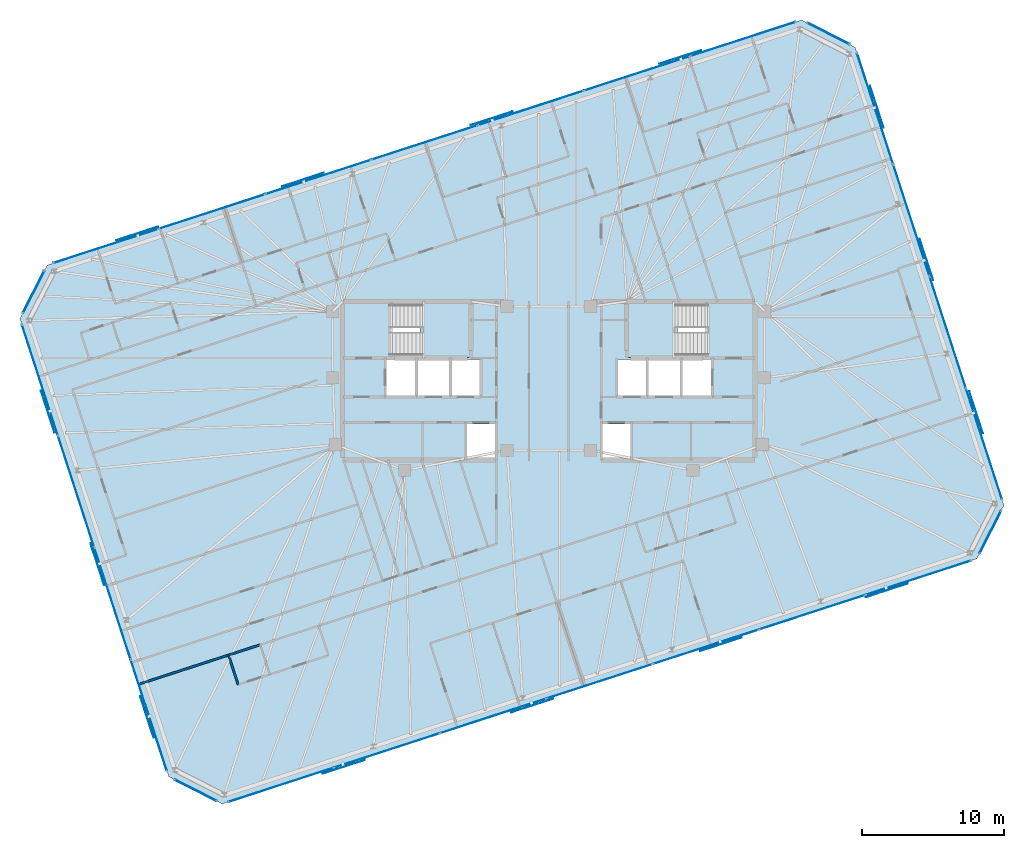
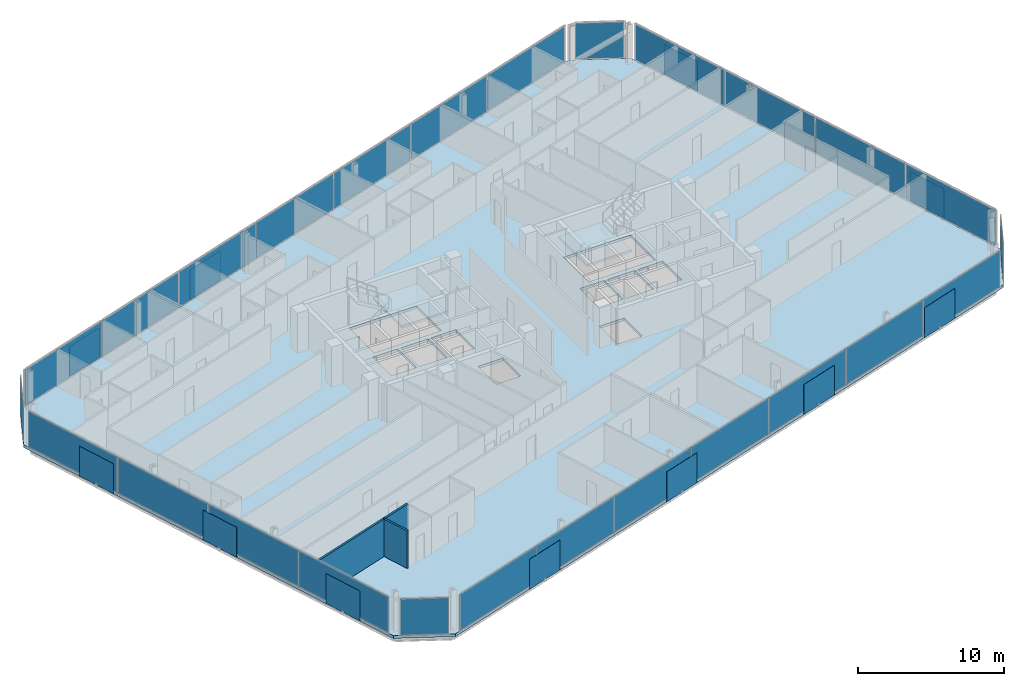
# One storey, part 12 of 20: 40 plates, 3 slabs, 3 walls, 10 elements without a shape of their own.
"""IFC4 building model written with IfcOpenShell, lengths in metres."""

from ifc_helpers import new_model, si_unit, direction, frame, frame_2d, origin, origin_2d, place, context, subcontext, project, spatial, polyline, rectangle, outline, extrude, material, layer, layer_set, type_object, element, aggregate, save


model = new_model("IFC4")

# Units and contexts
model_context = context("Model", 3, precision=1e-05, world=origin(), true_north=direction((0.0, 1.0)))
body_context = subcontext(model_context, "Body", "Model", "MODEL_VIEW")
ifc_project = project(units=[si_unit("LENGTHUNIT", "METRE"), si_unit("AREAUNIT", "SQUARE_METRE"), si_unit("VOLUMEUNIT", "CUBIC_METRE"), si_unit("PLANEANGLEUNIT", "RADIAN"), si_unit("MASSUNIT", "GRAM", prefix="KILO")], contexts=[model_context])

# Site, building, storey
site_placement = place(None, origin())
site = spatial("IfcSite", under=ifc_project, at=site_placement, CompositionType="ELEMENT")
building_placement = place(site_placement, origin())
building = spatial("IfcBuilding", under=site, at=building_placement, Name="Menara Jurai Vektor", CompositionType="ELEMENT")
storey_placement = place(building_placement, frame((0.0, 0.0, 244.39990234375)))
storey = spatial("IfcBuildingStorey", under=building, at=storey_placement, Name="L65", CompositionType="ELEMENT", Elevation=244.39990234375)

# Curtain wall, plates
ifc_material_1 = material(Name="Anodised Pale Aluminium & Low-E Double Glazing", Category="aluminium")
curtain_wall_type = type_object("IfcCurtainWallType", Name="CW-BLK4", PredefinedType="NOTDEFINED", material=ifc_material_1)
curtain_wall_1_placement = place(storey_placement, origin())
curtain_wall_1 = element("IfcCurtainWall", 1, at=curtain_wall_1_placement, inside=storey, type_object=curtain_wall_type, Name="Unitised Curtain Wall L65 F01", PredefinedType="NOTDEFINED")
ifc_material_2 = material(Name="Low-E Solar-Control Double Glazed Unit", Category="glass")
ifc_layer_1 = layer(ifc_material_2, 0.030029296875)
ifc_layer_set_1 = layer_set([ifc_layer_1], Name="Low-E Solar-Control Double Glazed Unit")
plate_type_1 = type_object("IfcPlateType", Name="CW-BLK4-PNL", PredefinedType="CURTAIN_PANEL", material=ifc_layer_set_1)
plate_1_placement = place(storey_placement, frame((-18.916259765625, -28.53076171875, 0.080078125), z_axis=(0.0, 0.0, 1.0), x_axis=(0.951056402641, 0.309017344167, 0.0)))
plate_1 = element("IfcPlate", 2, at=plate_1_placement, type_object=plate_type_1, Name="CW-04 panel 1.1", PredefinedType="CURTAIN_PANEL", context=body_context, shape_type="SweptSolid", body=[
    extrude(rectangle(XDim=7.771484375, YDim=0.030029296875, at=origin_2d()), origin(), (0.0, 0.0, 1.0), 2.965087890625),
])
plate_2_placement = place(storey_placement, frame((-11.429931640625, -26.098388671875, 0.080078125), z_axis=(0.0, 0.0, 1.0), x_axis=(0.951056402641, 0.309017344167, 0.0)))
plate_2 = element("IfcPlate", 3, at=plate_2_placement, type_object=plate_type_1, Name="CW-04 panel 2.1", PredefinedType="CURTAIN_PANEL", context=body_context, shape_type="SweptSolid", body=[
    extrude(rectangle(XDim=7.8115234375, YDim=0.030029296875, at=origin_2d()), origin(), (0.0, 0.0, 1.0), 2.965087890625),
])
plate_3_placement = place(storey_placement, frame((-3.9248046875, -23.65966796875, 0.080078125), z_axis=(0.0, 0.0, 1.0), x_axis=(0.951056402641, 0.309017344167, 0.0)))
plate_3 = element("IfcPlate", 4, at=plate_3_placement, type_object=plate_type_1, Name="CW-04 panel 3.1", PredefinedType="CURTAIN_PANEL", context=body_context, shape_type="SweptSolid", body=[
    extrude(rectangle(XDim=7.8115234375, YDim=0.030029296875, at=origin_2d()), origin(), (0.0, 0.0, 1.0), 2.965087890625),
])
plate_4_placement = place(storey_placement, frame((3.580322265625, -21.22119140625, 0.080078125), z_axis=(0.0, 0.0, 1.0), x_axis=(0.951056402641, 0.309017344167, 0.0)))
plate_4 = element("IfcPlate", 5, at=plate_4_placement, type_object=plate_type_1, Name="CW-04 panel 4.1", PredefinedType="CURTAIN_PANEL", context=body_context, shape_type="SweptSolid", body=[
    extrude(rectangle(XDim=7.8115234375, YDim=0.030029296875, at=origin_2d()), origin(), (0.0, 0.0, 1.0), 2.965087890625),
])
plate_5_placement = place(storey_placement, frame((11.08544921875, -18.782470703125, 0.080078125), z_axis=(0.0, 0.0, 1.0), x_axis=(0.951056402641, 0.309017344167, 0.0)))
plate_5 = element("IfcPlate", 6, at=plate_5_placement, type_object=plate_type_1, Name="CW-04 panel 5.1", PredefinedType="CURTAIN_PANEL", context=body_context, shape_type="SweptSolid", body=[
    extrude(rectangle(XDim=7.8115234375, YDim=0.030029296875, at=origin_2d()), origin(), (0.0, 0.0, 1.0), 2.965087890625),
])
plate_6_placement = place(storey_placement, frame((18.5908203125, -16.343994140625, 0.080078125), z_axis=(0.0, 0.0, 1.0), x_axis=(0.951056402641, 0.309017344167, 0.0)))
plate_6 = element("IfcPlate", 7, at=plate_6_placement, type_object=plate_type_1, Name="CW-04 panel 6.1", PredefinedType="CURTAIN_PANEL", context=body_context, shape_type="SweptSolid", body=[
    extrude(rectangle(XDim=7.8115234375, YDim=0.030029296875, at=origin_2d()), origin(), (0.0, 0.0, 1.0), 2.965087890625),
])
plate_7_placement = place(storey_placement, frame((26.076904296875, -13.91162109375, 0.080078125), z_axis=(0.0, 0.0, 1.0), x_axis=(0.951056402641, 0.309017344167, 0.0)))
plate_7 = element("IfcPlate", 8, at=plate_7_placement, type_object=plate_type_1, Name="CW-04 panel 7.1", PredefinedType="CURTAIN_PANEL", context=body_context, shape_type="SweptSolid", body=[
    extrude(rectangle(XDim=7.771484375, YDim=0.030029296875, at=origin_2d()), origin(), (0.0, 0.0, 1.0), 2.965087890625),
])
aggregate(curtain_wall_1, [plate_1, plate_2, plate_3, plate_4, plate_5, plate_6, plate_7])

curtain_wall_2_placement = place(storey_placement, origin())
curtain_wall_2 = element("IfcCurtainWall", 9, at=curtain_wall_2_placement, inside=storey, type_object=curtain_wall_type, Name="Unitised Curtain Wall L65 F03", PredefinedType="NOTDEFINED")
plate_8_placement = place(storey_placement, frame((30.728515625, -4.456298828125, 0.080078125), z_axis=(0.0, 0.0, 1.0), x_axis=(-0.309016481464, 0.95105668295, 0.0)))
plate_8 = element("IfcPlate", 10, at=plate_8_placement, type_object=plate_type_1, Name="CW-04 panel 1.1", PredefinedType="CURTAIN_PANEL", context=body_context, shape_type="SweptSolid", body=[
    extrude(rectangle(XDim=8.18994140625, YDim=0.030029296875, at=origin_2d()), origin(), (0.0, 0.0, 1.0), 2.965087890625),
])
plate_9_placement = place(storey_placement, frame((28.166748046875, 3.427978515625, 0.080078125), z_axis=(0.0, 0.0, 1.0), x_axis=(-0.309016481464, 0.95105668295, 0.0)))
plate_9 = element("IfcPlate", 11, at=plate_9_placement, type_object=plate_type_1, Name="CW-04 panel 2.1", PredefinedType="CURTAIN_PANEL", context=body_context, shape_type="SweptSolid", body=[
    extrude(rectangle(XDim=8.22998046875, YDim=0.030029296875, at=origin_2d()), origin(), (0.0, 0.0, 1.0), 2.965087890625),
])
plate_10_placement = place(storey_placement, frame((25.598876953125, 11.331298828125, 0.080078125), z_axis=(0.0, 0.0, 1.0), x_axis=(-0.309016481464, 0.95105668295, 0.0)))
plate_10 = element("IfcPlate", 12, at=plate_10_placement, type_object=plate_type_1, Name="CW-04 panel 3.1", PredefinedType="CURTAIN_PANEL", context=body_context, shape_type="SweptSolid", body=[
    extrude(rectangle(XDim=8.22998046875, YDim=0.030029296875, at=origin_2d()), origin(), (0.0, 0.0, 1.0), 2.965087890625),
])
plate_11_placement = place(storey_placement, frame((23.037109375, 19.21533203125, 0.080078125), z_axis=(0.0, 0.0, 1.0), x_axis=(-0.309016481464, 0.95105668295, 0.0)))
plate_11 = element("IfcPlate", 13, at=plate_11_placement, type_object=plate_type_1, Name="CW-04 panel 4.1", PredefinedType="CURTAIN_PANEL", context=body_context, shape_type="SweptSolid", body=[
    extrude(rectangle(XDim=8.18994140625, YDim=0.030029296875, at=origin_2d()), origin(), (0.0, 0.0, 1.0), 2.965087890625),
])
aggregate(curtain_wall_2, [plate_8, plate_9, plate_10, plate_11])

curtain_wall_3_placement = place(storey_placement, origin())
curtain_wall_3 = element("IfcCurtainWall", 14, at=curtain_wall_3_placement, inside=storey, type_object=curtain_wall_type, Name="Unitised Curtain Wall L65 F05", PredefinedType="NOTDEFINED")
plate_12_placement = place(storey_placement, frame((13.716064453125, 24.130615234375, 0.080078125), z_axis=(0.0, 0.0, 1.0), x_axis=(-0.951056402641, -0.309017344167, 0.0)))
plate_12 = element("IfcPlate", 15, at=plate_12_placement, type_object=plate_type_1, Name="CW-04 panel 1.1", PredefinedType="CURTAIN_PANEL", context=body_context, shape_type="SweptSolid", body=[
    extrude(rectangle(XDim=7.771484375, YDim=0.030029296875, at=origin_2d()), origin(), (0.0, 0.0, 1.0), 2.965087890625),
])
plate_13_placement = place(storey_placement, frame((6.22998046875, 21.6982421875, 0.080078125), z_axis=(0.0, 0.0, 1.0), x_axis=(-0.951056402641, -0.309017344167, 0.0)))
plate_13 = element("IfcPlate", 16, at=plate_13_placement, type_object=plate_type_1, Name="CW-04 panel 2.1", PredefinedType="CURTAIN_PANEL", context=body_context, shape_type="SweptSolid", body=[
    extrude(rectangle(XDim=7.8115234375, YDim=0.030029296875, at=origin_2d()), origin(), (0.0, 0.0, 1.0), 2.965087890625),
])
plate_14_placement = place(storey_placement, frame((-1.275146484375, 19.259765625, 0.080078125), z_axis=(0.0, 0.0, 1.0), x_axis=(-0.951056402641, -0.309017344167, 0.0)))
plate_14 = element("IfcPlate", 17, at=plate_14_placement, type_object=plate_type_1, Name="CW-04 panel 3.1", PredefinedType="CURTAIN_PANEL", context=body_context, shape_type="SweptSolid", body=[
    extrude(rectangle(XDim=7.8115234375, YDim=0.030029296875, at=origin_2d()), origin(), (0.0, 0.0, 1.0), 2.965087890625),
])
plate_15_placement = place(storey_placement, frame((-8.7802734375, 16.821044921875, 0.080078125), z_axis=(0.0, 0.0, 1.0), x_axis=(-0.951056402641, -0.309017344167, 0.0)))
plate_15 = element("IfcPlate", 18, at=plate_15_placement, type_object=plate_type_1, Name="CW-04 panel 4.1", PredefinedType="CURTAIN_PANEL", context=body_context, shape_type="SweptSolid", body=[
    extrude(rectangle(XDim=7.8115234375, YDim=0.030029296875, at=origin_2d()), origin(), (0.0, 0.0, 1.0), 2.965087890625),
])
plate_16_placement = place(storey_placement, frame((-16.28564453125, 14.382568359375, 0.080078125), z_axis=(0.0, 0.0, 1.0), x_axis=(-0.951056402641, -0.309017344167, 0.0)))
plate_16 = element("IfcPlate", 19, at=plate_16_placement, type_object=plate_type_1, Name="CW-04 panel 5.1", PredefinedType="CURTAIN_PANEL", context=body_context, shape_type="SweptSolid", body=[
    extrude(rectangle(XDim=7.8115234375, YDim=0.030029296875, at=origin_2d()), origin(), (0.0, 0.0, 1.0), 2.965087890625),
])
plate_17_placement = place(storey_placement, frame((-23.790771484375, 11.944091796875, 0.080078125), z_axis=(0.0, 0.0, 1.0), x_axis=(-0.951056402641, -0.309017344167, 0.0)))
plate_17 = element("IfcPlate", 20, at=plate_17_placement, type_object=plate_type_1, Name="CW-04 panel 6.1", PredefinedType="CURTAIN_PANEL", context=body_context, shape_type="SweptSolid", body=[
    extrude(rectangle(XDim=7.8115234375, YDim=0.030029296875, at=origin_2d()), origin(), (0.0, 0.0, 1.0), 2.965087890625),
])
plate_18_placement = place(storey_placement, frame((-31.27685546875, 9.511474609375, 0.080078125), z_axis=(0.0, 0.0, 1.0), x_axis=(-0.951056402641, -0.309017344167, 0.0)))
plate_18 = element("IfcPlate", 21, at=plate_18_placement, type_object=plate_type_1, Name="CW-04 panel 7.1", PredefinedType="CURTAIN_PANEL", context=body_context, shape_type="SweptSolid", body=[
    extrude(rectangle(XDim=7.771484375, YDim=0.030029296875, at=origin_2d()), origin(), (0.0, 0.0, 1.0), 2.965087890625),
])
aggregate(curtain_wall_3, [plate_12, plate_13, plate_14, plate_15, plate_16, plate_17, plate_18])

curtain_wall_4_placement = place(storey_placement, origin())
curtain_wall_4 = element("IfcCurtainWall", 22, at=curtain_wall_4_placement, inside=storey, type_object=curtain_wall_type, Name="Unitised Curtain Wall L65 F07", PredefinedType="NOTDEFINED")
plate_19_placement = place(storey_placement, frame((-35.928466796875, 0.056396484375, 0.080078125), z_axis=(0.0, 0.0, 1.0), x_axis=(0.309016481464, -0.95105668295, 0.0)))
plate_19 = element("IfcPlate", 23, at=plate_19_placement, type_object=plate_type_1, Name="CW-04 panel 1.1", PredefinedType="CURTAIN_PANEL", context=body_context, shape_type="SweptSolid", body=[
    extrude(rectangle(XDim=8.18994140625, YDim=0.030029296875, at=origin_2d()), origin(), (0.0, 0.0, 1.0), 2.965087890625),
])
plate_20_placement = place(storey_placement, frame((-33.36669921875, -7.827880859375, 0.080078125), z_axis=(0.0, 0.0, 1.0), x_axis=(0.309016481464, -0.95105668295, 0.0)))
plate_20 = element("IfcPlate", 24, at=plate_20_placement, type_object=plate_type_1, Name="CW-04 panel 2.1", PredefinedType="CURTAIN_PANEL", context=body_context, shape_type="SweptSolid", body=[
    extrude(rectangle(XDim=8.22998046875, YDim=0.030029296875, at=origin_2d()), origin(), (0.0, 0.0, 1.0), 2.965087890625),
])
plate_21_placement = place(storey_placement, frame((-30.798828125, -15.731201171875, 0.080078125), z_axis=(0.0, 0.0, 1.0), x_axis=(0.309016481464, -0.95105668295, 0.0)))
plate_21 = element("IfcPlate", 25, at=plate_21_placement, type_object=plate_type_1, Name="CW-04 panel 3.1", PredefinedType="CURTAIN_PANEL", context=body_context, shape_type="SweptSolid", body=[
    extrude(rectangle(XDim=8.22998046875, YDim=0.030029296875, at=origin_2d()), origin(), (0.0, 0.0, 1.0), 2.965087890625),
])
plate_22_placement = place(storey_placement, frame((-28.237060546875, -23.615478515625, 0.080078125), z_axis=(0.0, 0.0, 1.0), x_axis=(0.309016481464, -0.95105668295, 0.0)))
plate_22 = element("IfcPlate", 26, at=plate_22_placement, type_object=plate_type_1, Name="CW-04 panel 4.1", PredefinedType="CURTAIN_PANEL", context=body_context, shape_type="SweptSolid", body=[
    extrude(rectangle(XDim=8.18994140625, YDim=0.030029296875, at=origin_2d()), origin(), (0.0, 0.0, 1.0), 2.965087890625),
])
aggregate(curtain_wall_4, [plate_19, plate_20, plate_21, plate_22])

# Curtain wall, plate
curtain_wall_5_placement = place(storey_placement, origin())
curtain_wall_5 = element("IfcCurtainWall", 27, at=curtain_wall_5_placement, inside=storey, type_object=curtain_wall_type, Name="Unitised Curtain Wall L65 F02", PredefinedType="NOTDEFINED")
ifc_material_3 = material(Name="Insulated Pale Aluminium Spandrel Panel", Category="aluminium")
ifc_layer_2 = layer(ifc_material_3, 0.06005859375)
ifc_layer_set_2 = layer_set([ifc_layer_2], Name="Insulated Pale Aluminium Spandrel Panel")
plate_type_2 = type_object("IfcPlateType", Name="CW-PNL-SP", PredefinedType="CURTAIN_PANEL", material=ifc_layer_set_2)
plate_23_placement = place(storey_placement, frame((31.1728515625, -10.678466796875, 0.080078125), z_axis=(0.0, 0.0, 1.0), x_axis=(0.453988579828, 0.89100750243, 0.0)))
plate_23 = element("IfcPlate", 28, at=plate_23_placement, type_object=plate_type_2, Name="CW-04 panel 1.1", PredefinedType="CURTAIN_PANEL", context=body_context, shape_type="SweptSolid", body=[
    extrude(rectangle(XDim=3.32275390625, YDim=0.06005859375, at=origin_2d()), origin(), (0.0, 0.0, 1.0), 2.965087890625),
])
aggregate(curtain_wall_5, [plate_23])

curtain_wall_6_placement = place(storey_placement, origin())
curtain_wall_6 = element("IfcCurtainWall", 29, at=curtain_wall_6_placement, inside=storey, type_object=curtain_wall_type, Name="Unitised Curtain Wall L65 F04", PredefinedType="NOTDEFINED")
plate_24_placement = place(storey_placement, frame((19.7392578125, 24.510498046875, 0.080078125), z_axis=(0.0, 0.0, 1.0), x_axis=(-0.89100750243, 0.453988579828, 0.0)))
plate_24 = element("IfcPlate", 30, at=plate_24_placement, type_object=plate_type_2, Name="CW-04 panel 1.1", PredefinedType="CURTAIN_PANEL", context=body_context, shape_type="SweptSolid", body=[
    extrude(rectangle(XDim=3.32275390625, YDim=0.06005859375, at=origin_2d()), origin(), (0.0, 0.0, 1.0), 2.965087890625),
])
aggregate(curtain_wall_6, [plate_24])

curtain_wall_7_placement = place(storey_placement, origin())
curtain_wall_7 = element("IfcCurtainWall", 31, at=curtain_wall_7_placement, inside=storey, type_object=curtain_wall_type, Name="Unitised Curtain Wall L65 F06", PredefinedType="NOTDEFINED")
plate_25_placement = place(storey_placement, frame((-36.373046875, 6.278564453125, 0.080078125), z_axis=(0.0, 0.0, 1.0), x_axis=(-0.453988579828, -0.89100750243, 0.0)))
plate_25 = element("IfcPlate", 32, at=plate_25_placement, type_object=plate_type_2, Name="CW-04 panel 1.1", PredefinedType="CURTAIN_PANEL", context=body_context, shape_type="SweptSolid", body=[
    extrude(rectangle(XDim=3.32275390625, YDim=0.06005859375, at=origin_2d()), origin(), (0.0, 0.0, 1.0), 2.965087890625),
])
aggregate(curtain_wall_7, [plate_25])

curtain_wall_8_placement = place(storey_placement, origin())
curtain_wall_8 = element("IfcCurtainWall", 33, at=curtain_wall_8_placement, inside=storey, type_object=curtain_wall_type, Name="Unitised Curtain Wall L65 F08", PredefinedType="NOTDEFINED")
plate_26_placement = place(storey_placement, frame((-24.939453125, -28.91064453125, 0.080078125), z_axis=(0.0, 0.0, 1.0), x_axis=(0.89100750243, -0.453988579828, 0.0)))
plate_26 = element("IfcPlate", 34, at=plate_26_placement, type_object=plate_type_2, Name="CW-04 panel 1.1", PredefinedType="CURTAIN_PANEL", context=body_context, shape_type="SweptSolid", body=[
    extrude(rectangle(XDim=3.32275390625, YDim=0.06005859375, at=origin_2d()), origin(), (0.0, 0.0, 1.0), 2.965087890625),
])
aggregate(curtain_wall_8, [plate_26])

# Plates
ifc_material_4 = material(Name="Anodised Pale Aluminium Perforated Screen", Category="aluminium")
ifc_layer_3 = layer(ifc_material_4, 0.02197265625)
ifc_layer_set_3 = layer_set([ifc_layer_3], Name="Anodised Pale Aluminium Perforated Screen")
plate_type_3 = type_object("IfcPlateType", Name="ENV-PLT-SCREEN-HI", PredefinedType="USERDEFINED", material=ifc_layer_set_3)
for number, where, z_axis, x_axis, name in (
    (35, (-14.478271484375, -27.257080078125, -0.0498046875), (0.0, 0.0, 1.0), (0.951056516295, 0.309016994375, 0.0), "Perforated Pale-Metal Solar Screen L65-S01"),
    (36, (-1.16357421875, -22.930908203125, -0.0498046875), (0.0, 0.0, 1.0), (0.951056516295, 0.309016994375, 0.0), "Perforated Pale-Metal Solar Screen L65-S02"),
    (37, (12.151123046875, -18.6044921875, -0.0498046875), (0.0, 0.0, 1.0), (0.951056516295, 0.309016994375, 0.0), "Perforated Pale-Metal Solar Screen L65-S03"),
    (38, (23.868408203125, -14.797607421875, -0.0498046875), (0.0, 0.0, 1.0), (0.951056516295, 0.309016994375, 0.0), "Perforated Pale-Metal Solar Screen L65-S04"),
    (39, (30.16943359375, -2.218017578125, -0.0498046875), (0.0, 0.0, 1.0), (-0.309016994375, 0.951056516295, 0.0), "Perforated Pale-Metal Solar Screen L65-S05"),
    (40, (26.667236328125, 8.560791015625, -0.0498046875), (0.0, 0.0, 1.0), (-0.309016994375, 0.951056516295, 0.0), "Perforated Pale-Metal Solar Screen L65-S06"),
    (41, (23.1650390625, 19.33935546875, -0.0498046875), (0.0, 0.0, 1.0), (-0.309016994375, 0.951056516295, 0.0), "Perforated Pale-Metal Solar Screen L65-S07"),
    (42, (9.2783203125, 22.85693359375, -0.0498046875), (0.0, 0.0, 1.0), (-0.951056516295, -0.309016994375, 0.0), "Perforated Pale-Metal Solar Screen L65-S08"),
    (43, (-4.03662109375, 18.53076171875, -0.0498046875), (0.0, 0.0, 1.0), (-0.951056516295, -0.309016994375, 0.0), "Perforated Pale-Metal Solar Screen L65-S09"),
    (44, (-17.351318359375, 14.20458984375, -0.0498046875), (0.0, 0.0, 1.0), (-0.951056516295, -0.309016994375, 0.0), "Perforated Pale-Metal Solar Screen L65-S10"),
    (45, (-29.068359375, 10.3974609375, -0.0498046875), (0.0, 0.0, 1.0), (-0.951056516295, -0.309016994375, 0.0), "Perforated Pale-Metal Solar Screen L65-S11"),
    (46, (-35.369384765625, -2.18212890625, -0.0498046875), (0.0, 0.0, 1.0), (0.309016994375, -0.951056516295, 0.0), "Perforated Pale-Metal Solar Screen L65-S12"),
    (47, (-31.8671875, -12.960693359375, -0.0498046875), (0.0, 0.0, 1.0), (0.309016994375, -0.951056516295, 0.0), "Perforated Pale-Metal Solar Screen L65-S13"),
    (48, (-28.364990234375, -23.739501953125, -0.0498046875), (0.0, 0.0, 1.0), (0.309016994375, -0.951056516295, 0.0), "Perforated Pale-Metal Solar Screen L65-S14"),
):
    element("IfcPlate", number, at=place(storey_placement, frame(where, z_axis=z_axis, x_axis=x_axis)), inside=storey, type_object=plate_type_3, Name=name, ObjectType="SCREEN", PredefinedType="USERDEFINED", context=body_context, shape_type="SweptSolid", body=[
        extrude(rectangle(XDim=3.10009765625, YDim=0.02197265625, at=origin_2d()), origin(), (0.0, 0.0, 1.0), 2.5),
    ])

# Stair, slab
ifc_material_5 = material(Name="Concrete C40/50", Category="concrete")
stair_type = type_object("IfcStairType", Name="STAIR-DOGLEG-1500", PredefinedType="HALF_TURN_STAIR", material=ifc_material_5)
stair_1_placement = place(storey_placement, origin())
stair_1 = element("IfcStair", 49, at=stair_1_placement, inside=storey, type_object=stair_type, Name="Protected Exit Stair ST1 L65", PredefinedType="HALF_TURN_STAIR")
ifc_layer_4 = layer(ifc_material_5, 0.199951171875)
ifc_layer_set_4 = layer_set([ifc_layer_4], Name="Concrete C40/50")
slab_type_1 = type_object("IfcSlabType", Name="STAIR-LANDING-200", PredefinedType="LANDING", material=ifc_layer_set_4)
slab_1_placement = place(storey_placement, frame((0.0, 0.0, 1.47509765625)))
slab_1 = element("IfcSlab", 50, at=slab_1_placement, type_object=slab_type_1, Name="ST1 landing 1", PredefinedType="LANDING", context=body_context, shape_type="SweptSolid", body=[
    extrude(outline(polyline([(-9.080078125, 1.64990234375), (-5.550048828125, 1.64990234375), (-5.550048828125, 5.550048828125), (-9.080078125, 5.550048828125), (-9.080078125, 1.64990234375)])), origin(), (0.0, 0.0, 1.0), 0.199951171875),
])
aggregate(stair_1, [slab_1])

stair_2_placement = place(storey_placement, origin())
stair_2 = element("IfcStair", 51, at=stair_2_placement, inside=storey, type_object=stair_type, Name="Protected Exit Stair ST2 L65", PredefinedType="HALF_TURN_STAIR")
slab_2_placement = place(storey_placement, frame((0.0, 0.0, 1.47509765625)))
slab_2 = element("IfcSlab", 52, at=slab_2_placement, type_object=slab_type_1, Name="ST2 landing 1", PredefinedType="LANDING", context=body_context, shape_type="SweptSolid", body=[
    extrude(outline(polyline([(5.550048828125, 1.64990234375), (9.080078125, 1.64990234375), (9.080078125, 5.550048828125), (5.550048828125, 5.550048828125), (5.550048828125, 1.64990234375)])), origin(), (0.0, 0.0, 1.0), 0.199951171875),
])
aggregate(stair_2, [slab_2])

# Slab
ifc_layer_5 = layer(ifc_material_5, 0.22509765625)
ifc_layer_set_5 = layer_set([ifc_layer_5], Name="Concrete C40/50")
slab_type_2 = type_object("IfcSlabType", Name="STR-SLAB-TYP200", PredefinedType="FLOOR", material=ifc_layer_set_5)
slab_3_placement = place(storey_placement, frame((0.0, 0.0, -0.224853515625)))
element("IfcSlab", 53, at=slab_3_placement, inside=storey, type_object=slab_type_2, Name="Composite Floor Slab L65", PredefinedType="FLOOR", context=body_context, shape_type="SweptSolid", body=[
    extrude(outline(polyline([(-23.04931640625, -29.87353515625), (30.2099609375, -12.568603515625), (32.135986328125, -8.788330078125), (21.62939453125, 23.547607421875), (17.84912109375, 25.4736328125), (-35.409912109375, 8.168701171875), (-37.3359375, 4.388427734375), (-26.82958984375, -27.947509765625), (-23.04931640625, -29.87353515625)]), holes=[polyline([(-11.10009765625, 1.89990234375), (-11.10009765625, 5.300048828125), (-5.800048828125, 5.300048828125), (-5.800048828125, 1.89990234375), (-11.10009765625, 1.89990234375)]), polyline([(5.800048828125, 1.89990234375), (5.800048828125, 5.300048828125), (11.10009765625, 5.300048828125), (11.10009765625, 1.89990234375), (5.800048828125, 1.89990234375)]), polyline([(-11.449951171875, -1.050048828125), (-11.449951171875, 1.5), (-9.449951171875, 1.5), (-9.449951171875, -1.050048828125), (-11.449951171875, -1.050048828125)]), polyline([(9.449951171875, -1.050048828125), (9.449951171875, 1.5), (11.449951171875, 1.5), (11.449951171875, -1.050048828125), (9.449951171875, -1.050048828125)]), polyline([(-5.760009765625, -5.5), (-5.760009765625, -3.050048828125), (-3.800048828125, -3.050048828125), (-3.800048828125, -5.5), (-5.760009765625, -5.5)]), polyline([(-6.85009765625, -1.050048828125), (-6.85009765625, 1.5), (-4.889892578125, 1.5), (-4.889892578125, -1.050048828125), (-6.85009765625, -1.050048828125)]), polyline([(3.800048828125, -5.5), (3.800048828125, -3.050048828125), (5.760009765625, -3.050048828125), (5.760009765625, -5.5), (3.800048828125, -5.5)]), polyline([(4.889892578125, -1.050048828125), (4.889892578125, 1.5), (6.85009765625, 1.5), (6.85009765625, -1.050048828125), (4.889892578125, -1.050048828125)]), polyline([(-9.25, -1.050048828125), (-9.25, 1.5), (-7.050048828125, 1.5), (-7.050048828125, -1.050048828125), (-9.25, -1.050048828125)]), polyline([(7.050048828125, -1.050048828125), (7.050048828125, 1.5), (9.25, 1.5), (9.25, -1.050048828125), (7.050048828125, -1.050048828125)])]), origin(), (0.0, 0.0, 1.0), 0.224853515625),
])

# Walls
ifc_material_6 = material(Name="Gypsum Fireboard Partition", Category="gypsum")
ifc_layer_6 = layer(ifc_material_6, 0.14990234375)
ifc_layer_set_6 = layer_set([ifc_layer_6], Name="Gypsum Fireboard Partition")
wall_type = type_object("IfcWallType", Name="INT-WALL-CORR-150", PredefinedType="PARTITIONING", material=ifc_layer_set_6)
wall_1_placement = place(storey_placement, frame((-28.949951171875, -21.42138671875, 0.0), z_axis=(0.0, 0.0, 1.0), x_axis=(0.951059919169, 0.30900652121, 0.0)))
element("IfcWall", 54, at=wall_1_placement, inside=storey, type_object=wall_type, Name="Interior Wall IW-150 L65", PredefinedType="PARTITIONING", context=body_context, shape_type="SweptSolid", body=[
    extrude(rectangle(XDim=6.661865234375, YDim=0.14990234375, at=frame_2d((3.3310546875, 0.0))), origin(), (0.0, 0.0, 1.0), 3.125),
])
wall_2_placement = place(storey_placement, frame((-22.614013671875, -19.36279296875, 0.0), z_axis=(0.0, 0.0, 1.0), x_axis=(0.951045519245, 0.309050837767, 0.0)))
element("IfcWall", 55, at=wall_2_placement, inside=storey, type_object=wall_type, Name="Interior Wall IW-150 L65", PredefinedType="PARTITIONING", context=body_context, shape_type="SweptSolid", body=[
    extrude(rectangle(XDim=2.35009765625, YDim=0.14990234375, at=frame_2d((1.175048828125, 0.0))), origin(), (0.0, 0.0, 1.0), 3.125),
])
wall_3_placement = place(storey_placement, frame((-21.93408203125, -21.455078125, 0.0), z_axis=(0.0, 0.0, 1.0), x_axis=(-0.309060979314, 0.951042223598, 0.0)))
element("IfcWall", 56, at=wall_3_placement, inside=storey, type_object=wall_type, Name="Interior Wall IW-150 L65", PredefinedType="PARTITIONING", context=body_context, shape_type="SweptSolid", body=[
    extrude(rectangle(XDim=2.199951171875, YDim=0.14990234375, at=frame_2d((1.10009765625, 0.0))), origin(), (0.0, 0.0, 1.0), 3.125),
])

save(model, "model.ifc")
